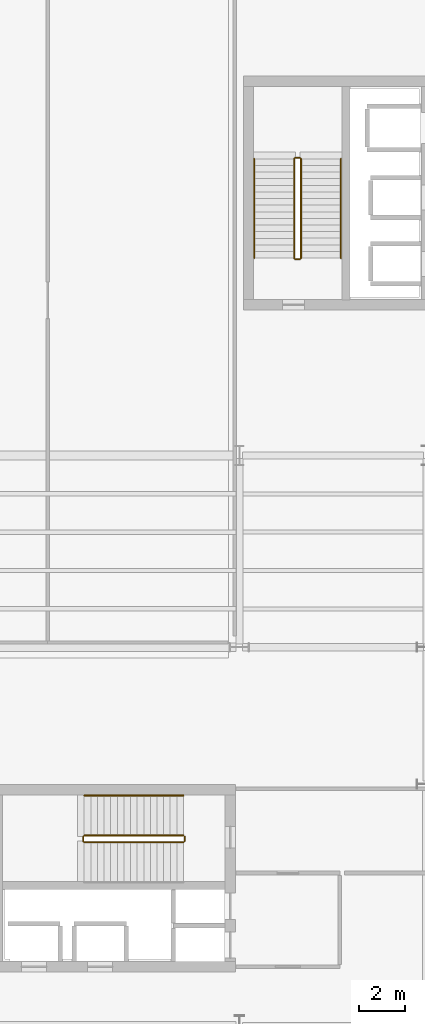
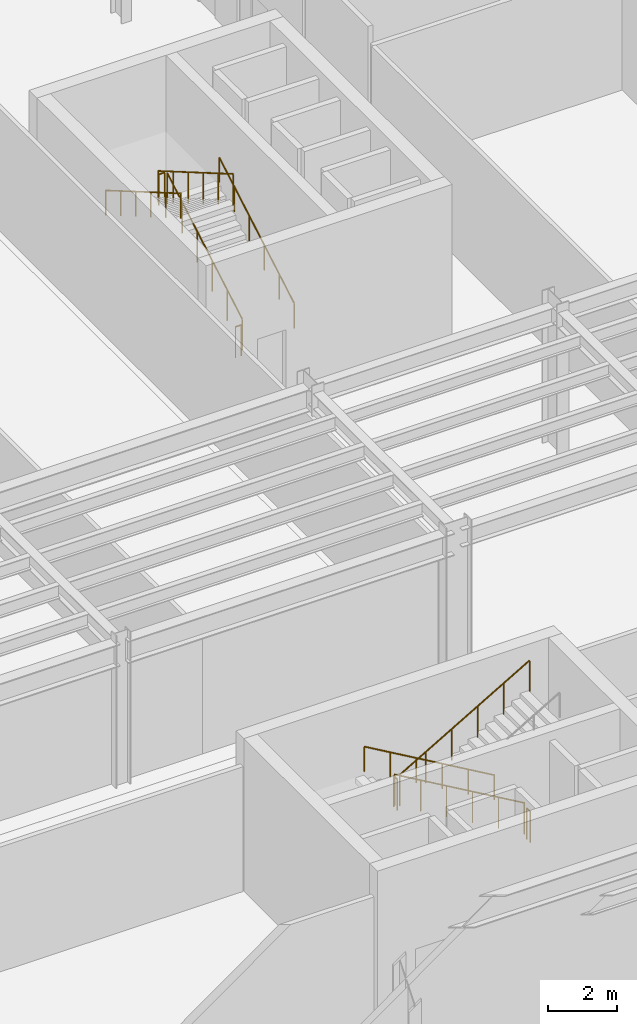
# One storey, part 93 of 94: 11 railings.
"""IFC4 building model written with IfcOpenShell, lengths in metres."""

from ifc_helpers import new_model, si_unit, direction, frame, origin, origin_2d, place, context, subcontext, project, spatial, circle, extrude, material, type_object, element, save


model = new_model("IFC4")

# Units and contexts
model_context = context("Model", 3, precision=1e-05, world=origin(), true_north=direction((0.0, 1.0)))
body_context = subcontext(model_context, "Body", "Model", "MODEL_VIEW")
ifc_project = project(units=[si_unit("LENGTHUNIT", "METRE"), si_unit("AREAUNIT", "SQUARE_METRE"), si_unit("VOLUMEUNIT", "CUBIC_METRE"), si_unit("PLANEANGLEUNIT", "RADIAN"), si_unit("MASSUNIT", "GRAM", prefix="KILO")], contexts=[model_context])

# Site, building, storey
site_placement = place(None, origin())
site = spatial("IfcSite", under=ifc_project, at=site_placement, CompositionType="ELEMENT")
building_placement = place(site_placement, origin())
building = spatial("IfcBuilding", under=site, at=building_placement, Name="Sollismere Congress Hotel", CompositionType="ELEMENT")
storey_placement = place(building_placement, origin())
storey = spatial("IfcBuildingStorey", under=building, at=storey_placement, Name="L00", CompositionType="ELEMENT", Elevation=0.0)

# Railings
ifc_material_1 = material(Name="Steel ASTM A500 Grade C", Category="steel")
railing_type_1 = type_object("IfcRailingType", Name="RL-GRD112", PredefinedType="GUARDRAIL", material=ifc_material_1)
railing_1_placement = place(storey_placement, frame((144.75, 16.550048828125, 0.168701171875)))
element("IfcRailing", 1, at=railing_1_placement, inside=storey, type_object=railing_type_1, Name="RLG-RG-ST-01-L00-1", PredefinedType="GUARDRAIL", context=body_context, shape_type="SweptSolid", body=[
    extrude(circle(Radius=0.02392578125, at=origin_2d()), frame((0.0, 0.0, 1.09619140625), z_axis=(-0.864323800911, 0.0, 0.50293574856), x_axis=(0.0, -1.0, 0.0)), (0.0, 0.0, 1.0), 5.032958984375),
    extrude(circle(Radius=0.02099609375, at=origin_2d()), origin(), (0.0, 0.0, 1.0), 1.072021484375),
    extrude(circle(Radius=0.02099609375, at=origin_2d()), frame((-0.8701171875, 0.0, 0.50634765625)), (0.0, 0.0, 1.0), 1.072021484375),
    extrude(circle(Radius=0.02099609375, at=origin_2d()), frame((-1.739990234375, 0.0, 1.012451171875)), (0.0, 0.0, 1.0), 1.072021484375),
    extrude(circle(Radius=0.02099609375, at=origin_2d()), frame((-2.610107421875, 0.0, 1.518798828125)), (0.0, 0.0, 1.0), 1.072021484375),
    extrude(circle(Radius=0.02099609375, at=origin_2d()), frame((-3.47998046875, 0.0, 2.02490234375)), (0.0, 0.0, 1.0), 1.072021484375),
    extrude(circle(Radius=0.02099609375, at=origin_2d()), frame((-4.35009765625, 0.0, 2.53125)), (0.0, 0.0, 1.0), 1.072021484375),
])
railing_2_placement = place(storey_placement, frame((140.35009765625, 16.5, 2.699951171875)))
element("IfcRailing", 2, at=railing_2_placement, inside=storey, type_object=railing_type_1, Name="RLG-RG-ST-01-L00-2", PredefinedType="GUARDRAIL", context=body_context, shape_type="SweptSolid", body=[
    extrude(circle(Radius=0.02392578125, at=origin_2d()), frame((0.0, 0.0, 1.09619140625), z_axis=(0.0, -1.0, 0.0), x_axis=(1.0, 0.0, 0.0)), (0.0, 0.0, 1.0), 0.199951171875),
    extrude(circle(Radius=0.02099609375, at=origin_2d()), origin(), (0.0, 0.0, 1.0), 1.072021484375),
    extrude(circle(Radius=0.02099609375, at=origin_2d()), frame((0.0, -0.199951171875, 0.0)), (0.0, 0.0, 1.0), 1.072021484375),
])
railing_3_placement = place(storey_placement, frame((140.39990234375, 16.25, 2.86865234375)))
element("IfcRailing", 3, at=railing_3_placement, inside=storey, type_object=railing_type_1, Name="RLG-RG-ST-01-L00-3", PredefinedType="GUARDRAIL", context=body_context, shape_type="SweptSolid", body=[
    extrude(circle(Radius=0.02392578125, at=origin_2d()), frame((0.0, 0.0, 1.09619140625), z_axis=(0.864323800911, 0.0, 0.50293574856), x_axis=(0.0, 1.0, 0.0)), (0.0, 0.0, 1.0), 5.032958984375),
    extrude(circle(Radius=0.02099609375, at=origin_2d()), origin(), (0.0, 0.0, 1.0), 1.072021484375),
    extrude(circle(Radius=0.02099609375, at=origin_2d()), frame((0.8701171875, 0.0, 0.50634765625)), (0.0, 0.0, 1.0), 1.072021484375),
    extrude(circle(Radius=0.02099609375, at=origin_2d()), frame((1.739990234375, 0.0, 1.012451171875)), (0.0, 0.0, 1.0), 1.072021484375),
    extrude(circle(Radius=0.02099609375, at=origin_2d()), frame((2.610107421875, 0.0, 1.518798828125)), (0.0, 0.0, 1.0), 1.072021484375),
    extrude(circle(Radius=0.02099609375, at=origin_2d()), frame((3.47998046875, 0.0, 2.02490234375)), (0.0, 0.0, 1.0), 1.072021484375),
    extrude(circle(Radius=0.02099609375, at=origin_2d()), frame((4.35009765625, 0.0, 2.53125)), (0.0, 0.0, 1.0), 1.072021484375),
])
railing_4_placement = place(storey_placement, frame((144.800048828125, 16.5, 0.0)))
element("IfcRailing", 4, at=railing_4_placement, inside=storey, type_object=railing_type_1, Name="RLG-RG-ST-01-L00-4", PredefinedType="GUARDRAIL", context=body_context, shape_type="SweptSolid", body=[
    extrude(circle(Radius=0.02392578125, at=origin_2d()), frame((0.0, 0.0, 1.09619140625), z_axis=(0.0, -1.0, 0.0), x_axis=(1.0, 0.0, 0.0)), (0.0, 0.0, 1.0), 0.199951171875),
    extrude(circle(Radius=0.02099609375, at=origin_2d()), origin(), (0.0, 0.0, 1.0), 1.072021484375),
    extrude(circle(Radius=0.02099609375, at=origin_2d()), frame((0.0, -0.199951171875, 0.0)), (0.0, 0.0, 1.0), 1.072021484375),
])
railing_5_placement = place(storey_placement, frame((149.89990234375, 41.85009765625, 0.168701171875)))
element("IfcRailing", 5, at=railing_5_placement, inside=storey, type_object=railing_type_1, Name="RLG-RG-ST-03-L00-1", PredefinedType="GUARDRAIL", context=body_context, shape_type="SweptSolid", body=[
    extrude(circle(Radius=0.02392578125, at=origin_2d()), frame((0.0, 0.0, 1.09619140625), z_axis=(0.0, 0.864311530196, 0.502956835891), x_axis=(-1.0, 0.0, 0.0)), (0.0, 0.0, 1.0), 5.03271484375),
    extrude(circle(Radius=0.02099609375, at=origin_2d()), origin(), (0.0, 0.0, 1.0), 1.072021484375),
    extrude(circle(Radius=0.02099609375, at=origin_2d()), frame((0.0, 0.869873046875, 0.50634765625)), (0.0, 0.0, 1.0), 1.072021484375),
    extrude(circle(Radius=0.02099609375, at=origin_2d()), frame((0.0, 1.739990234375, 1.012451171875)), (0.0, 0.0, 1.0), 1.072021484375),
    extrude(circle(Radius=0.02099609375, at=origin_2d()), frame((0.0, 2.60986328125, 1.518798828125)), (0.0, 0.0, 1.0), 1.072021484375),
    extrude(circle(Radius=0.02099609375, at=origin_2d()), frame((0.0, 3.47998046875, 2.02490234375)), (0.0, 0.0, 1.0), 1.072021484375),
    extrude(circle(Radius=0.02099609375, at=origin_2d()), frame((0.0, 4.349853515625, 2.53125)), (0.0, 0.0, 1.0), 1.072021484375),
])
railing_6_placement = place(storey_placement, frame((149.85009765625, 46.25, 2.699951171875)))
element("IfcRailing", 6, at=railing_6_placement, inside=storey, type_object=railing_type_1, Name="RLG-RG-ST-03-L00-2", PredefinedType="GUARDRAIL", context=body_context, shape_type="SweptSolid", body=[
    extrude(circle(Radius=0.02392578125, at=origin_2d()), frame((0.0, 0.0, 1.09619140625), z_axis=(-1.0, 0.0, 0.0), x_axis=(0.0, -1.0, 0.0)), (0.0, 0.0, 1.0), 0.2001953125),
    extrude(circle(Radius=0.02099609375, at=origin_2d()), origin(), (0.0, 0.0, 1.0), 1.072021484375),
    extrude(circle(Radius=0.02099609375, at=origin_2d()), frame((-0.2001953125, 0.0, 0.0)), (0.0, 0.0, 1.0), 1.072021484375),
])
railing_7_placement = place(storey_placement, frame((149.60009765625, 46.199951171875, 2.86865234375)))
element("IfcRailing", 7, at=railing_7_placement, inside=storey, type_object=railing_type_1, Name="RLG-RG-ST-03-L00-3", PredefinedType="GUARDRAIL", context=body_context, shape_type="SweptSolid", body=[
    extrude(circle(Radius=0.02392578125, at=origin_2d()), frame((0.0, 0.0, 1.09619140625), z_axis=(0.0, -0.864311530196, 0.502956835891), x_axis=(1.0, 0.0, 0.0)), (0.0, 0.0, 1.0), 5.03271484375),
    extrude(circle(Radius=0.02099609375, at=origin_2d()), origin(), (0.0, 0.0, 1.0), 1.072021484375),
    extrude(circle(Radius=0.02099609375, at=origin_2d()), frame((0.0, -0.869873046875, 0.50634765625)), (0.0, 0.0, 1.0), 1.072021484375),
    extrude(circle(Radius=0.02099609375, at=origin_2d()), frame((0.0, -1.739990234375, 1.012451171875)), (0.0, 0.0, 1.0), 1.072021484375),
    extrude(circle(Radius=0.02099609375, at=origin_2d()), frame((0.0, -2.60986328125, 1.518798828125)), (0.0, 0.0, 1.0), 1.072021484375),
    extrude(circle(Radius=0.02099609375, at=origin_2d()), frame((0.0, -3.47998046875, 2.02490234375)), (0.0, 0.0, 1.0), 1.072021484375),
    extrude(circle(Radius=0.02099609375, at=origin_2d()), frame((0.0, -4.349853515625, 2.53125)), (0.0, 0.0, 1.0), 1.072021484375),
])
railing_8_placement = place(storey_placement, frame((149.85009765625, 41.800048828125, 0.0)))
element("IfcRailing", 8, at=railing_8_placement, inside=storey, type_object=railing_type_1, Name="RLG-RG-ST-03-L00-4", PredefinedType="GUARDRAIL", context=body_context, shape_type="SweptSolid", body=[
    extrude(circle(Radius=0.02392578125, at=origin_2d()), frame((0.0, 0.0, 1.09619140625), z_axis=(-1.0, 0.0, 0.0), x_axis=(0.0, -1.0, 0.0)), (0.0, 0.0, 1.0), 0.2001953125),
    extrude(circle(Radius=0.02099609375, at=origin_2d()), origin(), (0.0, 0.0, 1.0), 1.072021484375),
    extrude(circle(Radius=0.02099609375, at=origin_2d()), frame((-0.2001953125, 0.0, 0.0)), (0.0, 0.0, 1.0), 1.072021484375),
])
ifc_material_2 = material(Name="Brushed Architectural Bronze")
railing_type_2 = type_object("IfcRailingType", Name="RL-HND90", PredefinedType="HANDRAIL", material=ifc_material_2)
railing_9_placement = place(storey_placement, frame((144.75, 18.300048828125, 0.3134765625)))
element("IfcRailing", 9, at=railing_9_placement, inside=storey, type_object=railing_type_2, Name="RLG-RH-ST-01-L00-1", PredefinedType="HANDRAIL", context=body_context, shape_type="SweptSolid", body=[
    extrude(circle(Radius=0.02392578125, at=origin_2d()), frame((0.0, 0.0, 0.8759765625), z_axis=(-0.864323800911, 0.0, 0.50293574856), x_axis=(0.0, -1.0, 0.0)), (0.0, 0.0, 1.0), 5.032958984375),
    extrude(circle(Radius=0.02099609375, at=origin_2d()), origin(), (0.0, 0.0, 1.0), 0.851806640625),
    extrude(circle(Radius=0.02099609375, at=origin_2d()), frame((-0.8701171875, 0.0, 0.50634765625)), (0.0, 0.0, 1.0), 0.851806640625),
    extrude(circle(Radius=0.02099609375, at=origin_2d()), frame((-1.739990234375, 0.0, 1.012451171875)), (0.0, 0.0, 1.0), 0.851806640625),
    extrude(circle(Radius=0.02099609375, at=origin_2d()), frame((-2.610107421875, 0.0, 1.518798828125)), (0.0, 0.0, 1.0), 0.851806640625),
    extrude(circle(Radius=0.02099609375, at=origin_2d()), frame((-3.47998046875, 0.0, 2.02490234375)), (0.0, 0.0, 1.0), 0.851806640625),
    extrude(circle(Radius=0.02099609375, at=origin_2d()), frame((-4.35009765625, 0.0, 2.53125)), (0.0, 0.0, 1.0), 0.851806640625),
])
railing_10_placement = place(storey_placement, frame((151.64990234375, 41.85009765625, 0.3134765625)))
element("IfcRailing", 10, at=railing_10_placement, inside=storey, type_object=railing_type_2, Name="RLG-RH-ST-03-L00-1", PredefinedType="HANDRAIL", context=body_context, shape_type="SweptSolid", body=[
    extrude(circle(Radius=0.02392578125, at=origin_2d()), frame((0.0, 0.0, 0.8759765625), z_axis=(0.0, 0.864311530196, 0.502956835891), x_axis=(-1.0, 0.0, 0.0)), (0.0, 0.0, 1.0), 5.03271484375),
    extrude(circle(Radius=0.02099609375, at=origin_2d()), origin(), (0.0, 0.0, 1.0), 0.851806640625),
    extrude(circle(Radius=0.02099609375, at=origin_2d()), frame((0.0, 0.869873046875, 0.50634765625)), (0.0, 0.0, 1.0), 0.851806640625),
    extrude(circle(Radius=0.02099609375, at=origin_2d()), frame((0.0, 1.739990234375, 1.012451171875)), (0.0, 0.0, 1.0), 0.851806640625),
    extrude(circle(Radius=0.02099609375, at=origin_2d()), frame((0.0, 2.60986328125, 1.518798828125)), (0.0, 0.0, 1.0), 0.851806640625),
    extrude(circle(Radius=0.02099609375, at=origin_2d()), frame((0.0, 3.47998046875, 2.02490234375)), (0.0, 0.0, 1.0), 0.851806640625),
    extrude(circle(Radius=0.02099609375, at=origin_2d()), frame((0.0, 4.349853515625, 2.53125)), (0.0, 0.0, 1.0), 0.851806640625),
])
railing_11_placement = place(storey_placement, frame((147.85009765625, 46.199951171875, 3.013427734375)))
element("IfcRailing", 11, at=railing_11_placement, inside=storey, type_object=railing_type_2, Name="RLG-RH-ST-03-L00-2", PredefinedType="HANDRAIL", context=body_context, shape_type="SweptSolid", body=[
    extrude(circle(Radius=0.02392578125, at=origin_2d()), frame((0.0, 0.0, 0.8759765625), z_axis=(0.0, -0.864311530196, 0.502956835891), x_axis=(1.0, 0.0, 0.0)), (0.0, 0.0, 1.0), 5.03271484375),
    extrude(circle(Radius=0.02099609375, at=origin_2d()), origin(), (0.0, 0.0, 1.0), 0.851806640625),
    extrude(circle(Radius=0.02099609375, at=origin_2d()), frame((0.0, -0.869873046875, 0.50634765625)), (0.0, 0.0, 1.0), 0.851806640625),
    extrude(circle(Radius=0.02099609375, at=origin_2d()), frame((0.0, -1.739990234375, 1.012451171875)), (0.0, 0.0, 1.0), 0.851806640625),
    extrude(circle(Radius=0.02099609375, at=origin_2d()), frame((0.0, -2.60986328125, 1.518798828125)), (0.0, 0.0, 1.0), 0.851806640625),
    extrude(circle(Radius=0.02099609375, at=origin_2d()), frame((0.0, -3.47998046875, 2.02490234375)), (0.0, 0.0, 1.0), 0.851806640625),
    extrude(circle(Radius=0.02099609375, at=origin_2d()), frame((0.0, -4.349853515625, 2.53125)), (0.0, 0.0, 1.0), 0.851806640625),
])

save(model, "model.ifc")
